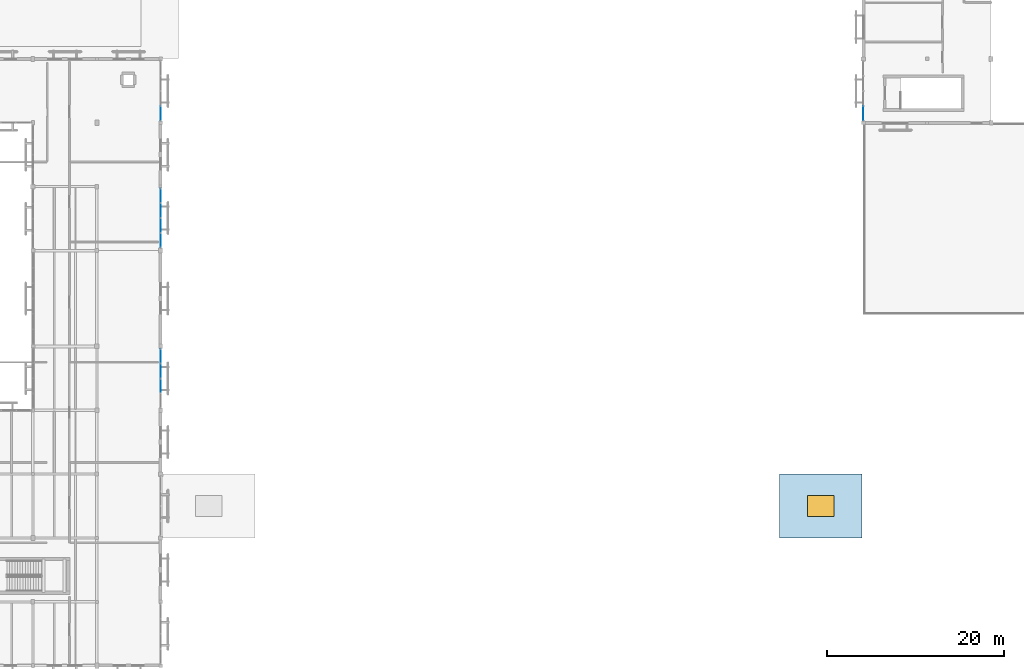
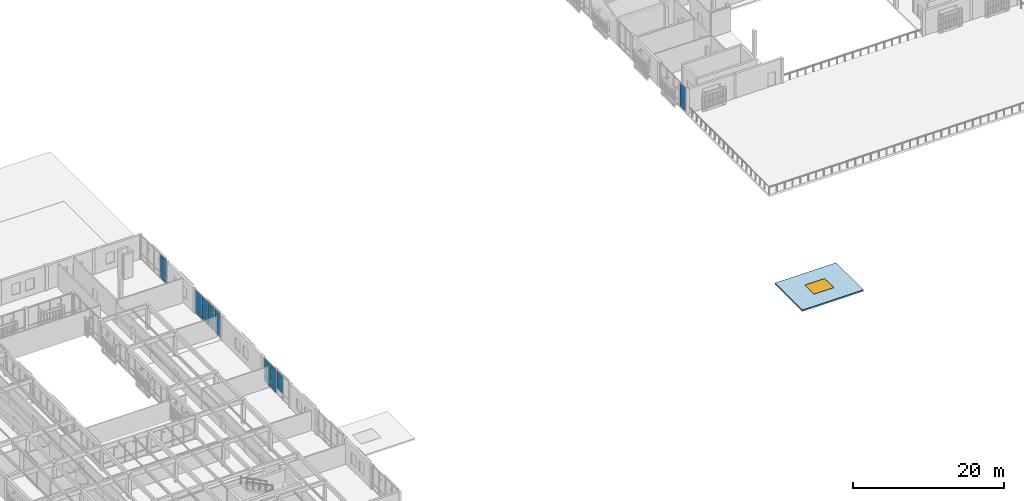
# One storey, part 42 of 61: 17 plates, 1 slab, 1 window, 1 opening, 4 elements without a shape of their own.
"""IFC4 building model written with IfcOpenShell, lengths in metres."""

from ifc_helpers import new_model, si_unit, direction, frame, origin, origin_2d, place, context, subcontext, project, spatial, polyline, rectangle, outline, extrude, material, layer, layer_set, type_object, element, fill, aggregate, save


model = new_model("IFC4")

# Units and contexts
model_context = context("Model", 3, precision=1e-05, world=origin(), true_north=direction((0.0, 1.0)))
body_context = subcontext(model_context, "Body", "Model", "MODEL_VIEW")
ifc_project = project(units=[si_unit("LENGTHUNIT", "METRE"), si_unit("AREAUNIT", "SQUARE_METRE"), si_unit("VOLUMEUNIT", "CUBIC_METRE"), si_unit("PLANEANGLEUNIT", "RADIAN"), si_unit("MASSUNIT", "GRAM", prefix="KILO")], contexts=[model_context])

# Site, building, storey
site_placement = place(None, origin())
site = spatial("IfcSite", under=ifc_project, at=site_placement, CompositionType="ELEMENT")
building_placement = place(site_placement, origin())
building = spatial("IfcBuilding", under=site, at=building_placement, Name="Mazaris Harbour Polytechnic", CompositionType="ELEMENT")
storey_placement = place(building_placement, frame((0.0, 0.0, 18.0)))
storey = spatial("IfcBuildingStorey", under=building, at=storey_placement, Name="L04", CompositionType="ELEMENT", Elevation=18.0)

# Slab, opening, window
ifc_material_1 = material(Name="Glulam GL28h and Concrete C30/37", Category="concrete")
ifc_layer_1 = layer(ifc_material_1, 0.239990234375, Name="Glulam GL28h and Concrete C30/37")
ifc_layer_set_1 = layer_set([ifc_layer_1], Name="Glulam GL28h and Concrete C30/37")
slab_type = type_object("IfcSlabType", Name="Insulated Flat Roof Slab 240", PredefinedType="ROOF", material=ifc_layer_set_1)
slab_placement = place(storey_placement, frame((0.0, 0.0, -0.239990234375)))
slab = element("IfcSlab", 1, at=slab_placement, inside=storey, type_object=slab_type, Name="PB-E1 Covered Passage Roof", PredefinedType="ROOF", context=body_context, shape_type="SweptSolid", body=[
    extrude(outline(polyline([(122.25, 21.60009765625), (122.25, 28.800048828125), (112.949951171875, 28.800048828125), (112.949951171875, 21.60009765625), (122.25, 21.60009765625)])), origin(), (0.0, 0.0, 1.0), 0.239990234375),
])
opening_placement = place(slab_placement, frame((117.60009765625, 25.199951171875, 0.0)))
opening = element("IfcOpeningElement", 2, at=opening_placement, cuts=slab, Name="Opening SKY-04", PredefinedType="OPENING", context=body_context, shape_type="SweptSolid", body=[
    extrude(rectangle(XDim=3.0, YDim=2.39990234375, at=origin_2d()), origin(), (0.0, 0.0, 1.0), 0.239990234375),
])
ifc_material_2 = material(Name="Thermally Broken Bronze Aluminium and Low-E Glass", Category="aluminium")
window_type = type_object("IfcWindowType", Name="Atrium Daylight Skylight 3000x2400", PartitioningType="DOUBLE_PANEL_VERTICAL", PredefinedType="SKYLIGHT", material=ifc_material_2)
window_placement = place(opening_placement, frame((0.0, 0.0, 0.18994140625)))
window = element("IfcWindow", 3, at=window_placement, inside=storey, type_object=window_type, Name="SKY-08", OverallHeight=2.39990234375, OverallWidth=3.0, PartitioningType="SINGLE_PANEL", PredefinedType="SKYLIGHT", context=body_context, shape_type="SweptSolid", body=[
    extrude(rectangle(XDim=3.0, YDim=2.39990234375, at=origin_2d()), origin(), (0.0, 0.0, 1.0), 0.050048828125),
])
fill(opening, window)

# Curtain wall, plates
ifc_material_3 = material(Name="Anodised Bronze Aluminium and Low-E Glass", Category="aluminium")
ifc_layer_2 = layer(ifc_material_3, 0.159912109375, Name="Anodised Bronze Aluminium and Low-E Glass")
ifc_layer_set_2 = layer_set([ifc_layer_2], Name="Anodised Bronze Aluminium and Low-E Glass")
curtain_wall_type_1 = type_object("IfcCurtainWallType", Name="Cloister Court Curtain Wall", PredefinedType="NOTDEFINED", material=ifc_layer_set_2)
curtain_wall_1_placement = place(storey_placement, origin())
curtain_wall_1 = element("IfcCurtainWall", 4, at=curtain_wall_1_placement, inside=storey, type_object=curtain_wall_type_1, Name="V4 L04 Curtain Wall 164", PredefinedType="NOTDEFINED")
ifc_material_4 = material(Name="Low-E Double Glazing", Category="glass")
ifc_layer_3 = layer(ifc_material_4, 0.028076171875, Name="Low-E Double Glazing")
ifc_layer_set_3 = layer_set([ifc_layer_3], Name="Low-E Double Glazing")
plate_type_1 = type_object("IfcPlateType", Name="Low-E Vision Glass Panel 28", PredefinedType="CURTAIN_PANEL", material=ifc_layer_set_3)
plate_1_placement = place(storey_placement, frame((43.199951171875, 42.079833984375, 0.080078125), z_axis=(0.0, 0.0, 1.0), x_axis=(0.0, -1.0, 0.0)))
plate_1 = element("IfcPlate", 5, at=plate_1_placement, type_object=plate_type_1, Name="CW-02 panel 1.1", PredefinedType="CURTAIN_PANEL", context=body_context, shape_type="SweptSolid", body=[
    extrude(rectangle(XDim=1.556396484375, YDim=0.028076171875, at=origin_2d()), origin(), (0.0, 0.0, 1.0), 0.830078125),
])
plate_2_placement = place(storey_placement, frame((43.199951171875, 42.079833984375, 0.990234375), z_axis=(0.0, 0.0, 1.0), x_axis=(0.0, -1.0, 0.0)))
plate_2 = element("IfcPlate", 6, at=plate_2_placement, type_object=plate_type_1, Name="CW-02 panel 1.2", PredefinedType="CURTAIN_PANEL", context=body_context, shape_type="SweptSolid", body=[
    extrude(rectangle(XDim=1.556396484375, YDim=0.028076171875, at=origin_2d()), origin(), (0.0, 0.0, 1.0), 2.864990234375),
])
plate_3_placement = place(storey_placement, frame((43.199951171875, 40.42333984375, 0.080078125), z_axis=(0.0, 0.0, 1.0), x_axis=(0.0, -1.0, 0.0)))
plate_3 = element("IfcPlate", 7, at=plate_3_placement, type_object=plate_type_1, Name="CW-02 panel 2.1", PredefinedType="CURTAIN_PANEL", context=body_context, shape_type="SweptSolid", body=[
    extrude(rectangle(XDim=1.596435546875, YDim=0.028076171875, at=origin_2d()), origin(), (0.0, 0.0, 1.0), 0.830078125),
])
plate_4_placement = place(storey_placement, frame((43.199951171875, 40.42333984375, 0.990234375), z_axis=(0.0, 0.0, 1.0), x_axis=(0.0, -1.0, 0.0)))
plate_4 = element("IfcPlate", 8, at=plate_4_placement, type_object=plate_type_1, Name="CW-02 panel 2.2", PredefinedType="CURTAIN_PANEL", context=body_context, shape_type="SweptSolid", body=[
    extrude(rectangle(XDim=1.596435546875, YDim=0.028076171875, at=origin_2d()), origin(), (0.0, 0.0, 1.0), 2.864990234375),
])
plate_5_placement = place(storey_placement, frame((43.199951171875, 38.746826171875, 0.990234375), z_axis=(0.0, 0.0, 1.0), x_axis=(0.0, -1.0, 0.0)))
plate_5 = element("IfcPlate", 9, at=plate_5_placement, type_object=plate_type_1, Name="CW-02 panel 3.2", PredefinedType="CURTAIN_PANEL", context=body_context, shape_type="SweptSolid", body=[
    extrude(rectangle(XDim=1.596435546875, YDim=0.028076171875, at=origin_2d()), origin(), (0.0, 0.0, 1.0), 2.864990234375),
])
aggregate(curtain_wall_1, [plate_1, plate_2, plate_3, plate_4, plate_5])

curtain_wall_2_placement = place(storey_placement, origin())
curtain_wall_2 = element("IfcCurtainWall", 10, at=curtain_wall_2_placement, inside=storey, type_object=curtain_wall_type_1, Name="V4 L04 Curtain Wall 165", PredefinedType="NOTDEFINED")
plate_6_placement = place(storey_placement, frame((43.199951171875, 60.1748046875, 0.080078125), z_axis=(0.0, 0.0, 1.0), x_axis=(0.0, -1.0, 0.0)))
plate_6 = element("IfcPlate", 11, at=plate_6_placement, type_object=plate_type_1, Name="CW-02 panel 1.1", PredefinedType="CURTAIN_PANEL", context=body_context, shape_type="SweptSolid", body=[
    extrude(rectangle(XDim=1.56640625, YDim=0.028076171875, at=origin_2d()), origin(), (0.0, 0.0, 1.0), 0.830078125),
])
plate_7_placement = place(storey_placement, frame((43.199951171875, 60.1748046875, 0.990234375), z_axis=(0.0, 0.0, 1.0), x_axis=(0.0, -1.0, 0.0)))
plate_7 = element("IfcPlate", 12, at=plate_7_placement, type_object=plate_type_1, Name="CW-02 panel 1.2", PredefinedType="CURTAIN_PANEL", context=body_context, shape_type="SweptSolid", body=[
    extrude(rectangle(XDim=1.56640625, YDim=0.028076171875, at=origin_2d()), origin(), (0.0, 0.0, 1.0), 2.864990234375),
])
plate_8_placement = place(storey_placement, frame((43.199951171875, 58.50830078125, 0.080078125), z_axis=(0.0, 0.0, 1.0), x_axis=(0.0, -1.0, 0.0)))
plate_8 = element("IfcPlate", 13, at=plate_8_placement, type_object=plate_type_1, Name="CW-02 panel 2.1", PredefinedType="CURTAIN_PANEL", context=body_context, shape_type="SweptSolid", body=[
    extrude(rectangle(XDim=1.6064453125, YDim=0.028076171875, at=origin_2d()), origin(), (0.0, 0.0, 1.0), 0.830078125),
])
plate_9_placement = place(storey_placement, frame((43.199951171875, 58.50830078125, 0.990234375), z_axis=(0.0, 0.0, 1.0), x_axis=(0.0, -1.0, 0.0)))
plate_9 = element("IfcPlate", 14, at=plate_9_placement, type_object=plate_type_1, Name="CW-02 panel 2.2", PredefinedType="CURTAIN_PANEL", context=body_context, shape_type="SweptSolid", body=[
    extrude(rectangle(XDim=1.6064453125, YDim=0.028076171875, at=origin_2d()), origin(), (0.0, 0.0, 1.0), 2.864990234375),
])
plate_10_placement = place(storey_placement, frame((43.199951171875, 56.82177734375, 0.080078125), z_axis=(0.0, 0.0, 1.0), x_axis=(0.0, -1.0, 0.0)))
plate_10 = element("IfcPlate", 15, at=plate_10_placement, type_object=plate_type_1, Name="CW-02 panel 3.1", PredefinedType="CURTAIN_PANEL", context=body_context, shape_type="SweptSolid", body=[
    extrude(rectangle(XDim=1.6064453125, YDim=0.028076171875, at=origin_2d()), origin(), (0.0, 0.0, 1.0), 0.830078125),
])
plate_11_placement = place(storey_placement, frame((43.199951171875, 56.82177734375, 0.990234375), z_axis=(0.0, 0.0, 1.0), x_axis=(0.0, -1.0, 0.0)))
plate_11 = element("IfcPlate", 16, at=plate_11_placement, type_object=plate_type_1, Name="CW-02 panel 3.2", PredefinedType="CURTAIN_PANEL", context=body_context, shape_type="SweptSolid", body=[
    extrude(rectangle(XDim=1.6064453125, YDim=0.028076171875, at=origin_2d()), origin(), (0.0, 0.0, 1.0), 2.864990234375),
])
plate_12_placement = place(storey_placement, frame((43.199951171875, 55.1552734375, 0.080078125), z_axis=(0.0, 0.0, 1.0), x_axis=(0.0, -1.0, 0.0)))
plate_12 = element("IfcPlate", 17, at=plate_12_placement, type_object=plate_type_1, Name="CW-02 panel 4.1", PredefinedType="CURTAIN_PANEL", context=body_context, shape_type="SweptSolid", body=[
    extrude(rectangle(XDim=1.56640625, YDim=0.028076171875, at=origin_2d()), origin(), (0.0, 0.0, 1.0), 0.830078125),
])
plate_13_placement = place(storey_placement, frame((43.199951171875, 55.1552734375, 0.990234375), z_axis=(0.0, 0.0, 1.0), x_axis=(0.0, -1.0, 0.0)))
plate_13 = element("IfcPlate", 18, at=plate_13_placement, type_object=plate_type_1, Name="CW-02 panel 4.2", PredefinedType="CURTAIN_PANEL", context=body_context, shape_type="SweptSolid", body=[
    extrude(rectangle(XDim=1.56640625, YDim=0.028076171875, at=origin_2d()), origin(), (0.0, 0.0, 1.0), 2.864990234375),
])
aggregate(curtain_wall_2, [plate_6, plate_7, plate_8, plate_9, plate_10, plate_11, plate_12, plate_13])

curtain_wall_3_placement = place(storey_placement, origin())
curtain_wall_3 = element("IfcCurtainWall", 19, at=curtain_wall_3_placement, inside=storey, type_object=curtain_wall_type_1, Name="V4 L04 Curtain Wall 166", PredefinedType="NOTDEFINED")
plate_14_placement = place(storey_placement, frame((43.199951171875, 69.4541015625, 0.080078125), z_axis=(0.0, 0.0, 1.0), x_axis=(0.0, -1.0, 0.0)))
plate_14 = element("IfcPlate", 20, at=plate_14_placement, type_object=plate_type_1, Name="CW-02 panel 4.1", PredefinedType="CURTAIN_PANEL", context=body_context, shape_type="SweptSolid", body=[
    extrude(rectangle(XDim=1.583984375, YDim=0.028076171875, at=origin_2d()), origin(), (0.0, 0.0, 1.0), 0.830078125),
])
plate_15_placement = place(storey_placement, frame((43.199951171875, 69.4541015625, 0.990234375), z_axis=(0.0, 0.0, 1.0), x_axis=(0.0, -1.0, 0.0)))
plate_15 = element("IfcPlate", 21, at=plate_15_placement, type_object=plate_type_1, Name="CW-02 panel 4.2", PredefinedType="CURTAIN_PANEL", context=body_context, shape_type="SweptSolid", body=[
    extrude(rectangle(XDim=1.583984375, YDim=0.028076171875, at=origin_2d()), origin(), (0.0, 0.0, 1.0), 2.864990234375),
])
aggregate(curtain_wall_3, [plate_14, plate_15])

ifc_material_5 = material(Name="Anodised Bronze Aluminium and Low-E Glass", Category="aluminium")
ifc_layer_4 = layer(ifc_material_5, 0.169921875, Name="Anodised Bronze Aluminium and Low-E Glass")
ifc_layer_set_4 = layer_set([ifc_layer_4], Name="Anodised Bronze Aluminium and Low-E Glass")
curtain_wall_type_2 = type_object("IfcCurtainWallType", Name="Studio North-Light Curtain Wall", PredefinedType="NOTDEFINED", material=ifc_layer_set_4)
curtain_wall_4_placement = place(storey_placement, origin())
curtain_wall_4 = element("IfcCurtainWall", 22, at=curtain_wall_4_placement, inside=storey, type_object=curtain_wall_type_2, Name="V5 L04 Curtain Wall 275", PredefinedType="NOTDEFINED")
ifc_material_6 = material(Name="Solar-Control Low-E Glazing", Category="glass")
ifc_layer_5 = layer(ifc_material_6, 0.031982421875, Name="Solar-Control Low-E Glazing")
ifc_layer_set_5 = layer_set([ifc_layer_5], Name="Solar-Control Low-E Glazing")
plate_type_2 = type_object("IfcPlateType", Name="Solar Control Studio Glass Panel 32", PredefinedType="CURTAIN_PANEL", material=ifc_layer_set_5)
plate_16_placement = place(storey_placement, frame((122.39990234375, 69.468994140625, 0.080078125), z_axis=(0.0, 0.0, 1.0), x_axis=(0.0, 1.0, 0.0)))
plate_16 = element("IfcPlate", 23, at=plate_16_placement, type_object=plate_type_2, Name="CW-03 panel 1.1", PredefinedType="CURTAIN_PANEL", context=body_context, shape_type="SweptSolid", body=[
    extrude(rectangle(XDim=1.573974609375, YDim=0.031982421875, at=origin_2d()), origin(), (0.0, 0.0, 1.0), 0.830078125),
])
plate_17_placement = place(storey_placement, frame((122.39990234375, 69.468994140625, 0.990234375), z_axis=(0.0, 0.0, 1.0), x_axis=(0.0, 1.0, 0.0)))
plate_17 = element("IfcPlate", 24, at=plate_17_placement, type_object=plate_type_2, Name="CW-03 panel 1.2", PredefinedType="CURTAIN_PANEL", context=body_context, shape_type="SweptSolid", body=[
    extrude(rectangle(XDim=1.573974609375, YDim=0.031982421875, at=origin_2d()), origin(), (0.0, 0.0, 1.0), 2.889892578125),
])
aggregate(curtain_wall_4, [plate_16, plate_17])

save(model, "model.ifc")
